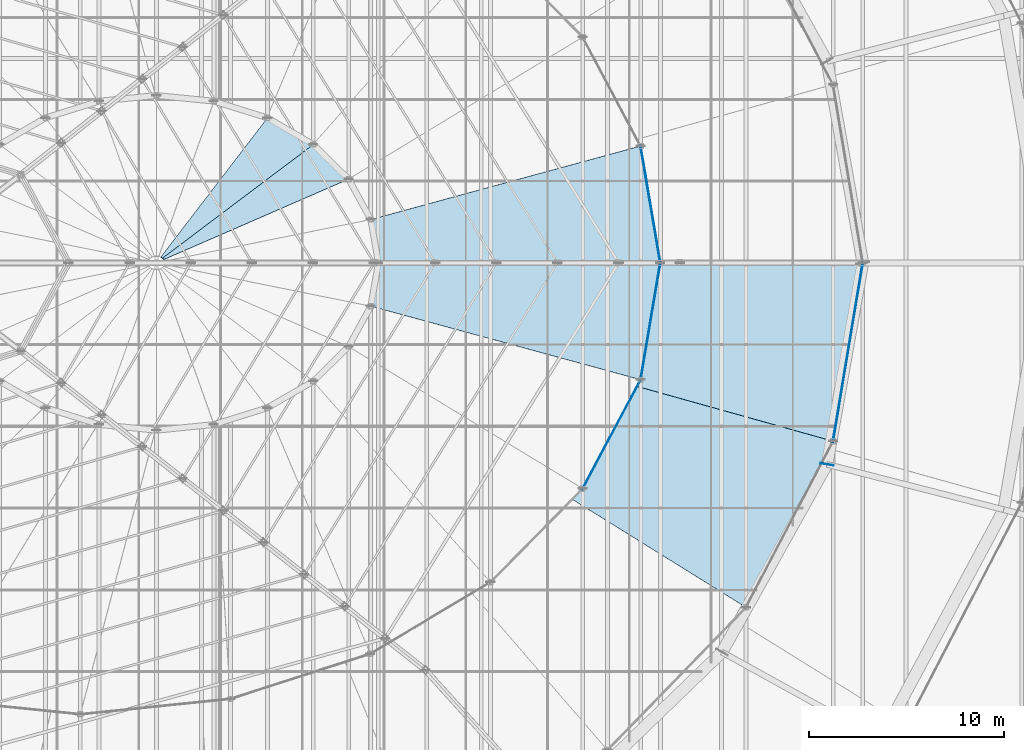
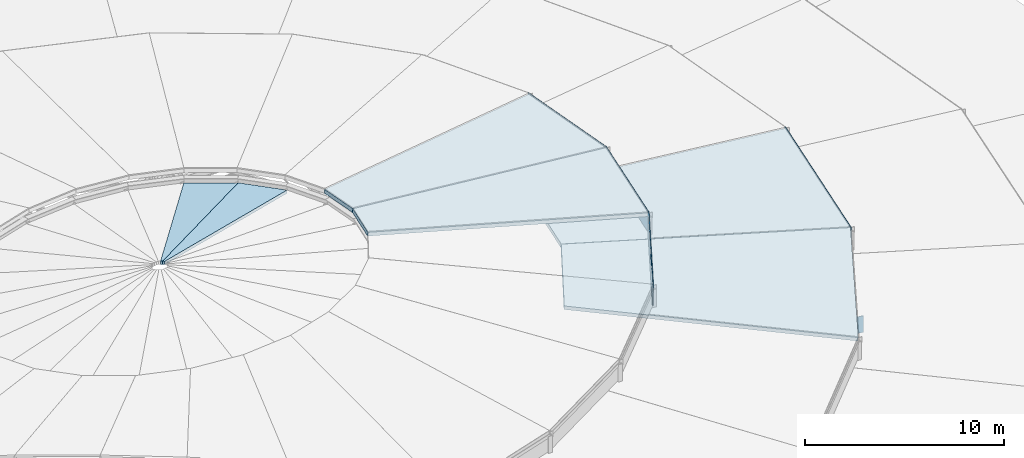
# One storey, part 145 of 184: 6 slabs, 5 plates.
"""IFC4 building model written with IfcOpenShell, lengths in metres."""

from ifc_helpers import new_model, si_unit, direction, frame, origin, origin_2d, place, context, subcontext, project, spatial, polyline, rectangle, outline, extrude, material, layer, layer_set, type_object, element, save


model = new_model("IFC4")

# Units and contexts
model_context = context("Model", 3, precision=1e-05, world=origin(), true_north=direction((0.0, 1.0)))
body_context = subcontext(model_context, "Body", "Model", "MODEL_VIEW")
ifc_project = project(units=[si_unit("LENGTHUNIT", "METRE"), si_unit("AREAUNIT", "SQUARE_METRE"), si_unit("VOLUMEUNIT", "CUBIC_METRE"), si_unit("PLANEANGLEUNIT", "RADIAN"), si_unit("MASSUNIT", "GRAM", prefix="KILO")], contexts=[model_context])

# Site, building, storey
site_placement = place(None, origin())
site = spatial("IfcSite", under=ifc_project, at=site_placement, CompositionType="ELEMENT")
building_placement = place(site_placement, origin())
building = spatial("IfcBuilding", under=site, at=building_placement, Name="Kalgoora Escarpment Arena", CompositionType="ELEMENT")
storey_placement = place(building_placement, frame((0.0, 0.0, 27.60009765625)))
storey = spatial("IfcBuildingStorey", under=building, at=storey_placement, Name="Roof Level", CompositionType="ELEMENT", Elevation=27.60009765625)

# Plates
ifc_material_1 = material(Name="Low-E double-glazed petal clerestory glass", Category="glass")
ifc_layer_1 = layer(ifc_material_1, 0.035888671875)
ifc_layer_set_1 = layer_set([ifc_layer_1], Name="PLT-PETAL-CLERESTORY")
plate_type_1 = type_object("IfcPlateType", Name="PLT-PETAL-CLERESTORY", PredefinedType="USERDEFINED", material=ifc_layer_set_1)
plate_1_placement = place(storey_placement, frame((145.63671875, 59.4189453125, 2.7099609375), z_axis=(0.0, 0.0, 1.0), x_axis=(0.164359008451, 0.986400586142, 0.0)))
element("IfcPlate", 1, at=plate_1_placement, inside=storey, type_object=plate_type_1, Name="Petal RP3 glazed clerestory collar panel S24", ObjectType="CLERESTORY PANEL", PredefinedType="USERDEFINED", context=body_context, shape_type="SweptSolid", body=[
    extrude(rectangle(XDim=9.427734375, YDim=0.0400390625, at=origin_2d()), origin(), (0.0, 0.0, 1.0), 1.25),
])
plate_2_placement = place(storey_placement, frame((135.4921875, 67.002197265625, 5.159912109375), z_axis=(0.0, 0.0, 1.0), x_axis=(-0.166768746716, 0.985996037071, 0.0)))
element("IfcPlate", 2, at=plate_2_placement, inside=storey, type_object=plate_type_1, Name="Petal RP4 glazed clerestory collar panel S01", ObjectType="CLERESTORY PANEL", PredefinedType="USERDEFINED", context=body_context, shape_type="SweptSolid", body=[
    extrude(rectangle(XDim=6.18115234375, YDim=0.0400390625, at=origin_2d()), origin(), (0.0, 0.0, 1.0), 1.25),
])
plate_3_placement = place(storey_placement, frame((133.49609375, 55.19775390625, 5.159912109375), z_axis=(0.0, 0.0, 1.0), x_axis=(0.469625659061, 0.882865641166, 0.0)))
element("IfcPlate", 3, at=plate_3_placement, inside=storey, type_object=plate_type_1, Name="Petal RP4 glazed clerestory collar panel S23", ObjectType="CLERESTORY PANEL", PredefinedType="USERDEFINED", context=body_context, shape_type="SweptSolid", body=[
    extrude(rectangle(XDim=6.43310546875, YDim=0.0400390625, at=origin_2d()), origin(), (0.0, 0.0, 1.0), 1.25),
])
plate_4_placement = place(storey_placement, frame((135.4921875, 60.997802734375, 5.159912109375), z_axis=(0.0, 0.0, 1.0), x_axis=(0.166768746716, 0.985996037071, 0.0)))
element("IfcPlate", 4, at=plate_4_placement, inside=storey, type_object=plate_type_1, Name="Petal RP4 glazed clerestory collar panel S24", ObjectType="CLERESTORY PANEL", PredefinedType="USERDEFINED", context=body_context, shape_type="SweptSolid", body=[
    extrude(rectangle(XDim=6.18115234375, YDim=0.0400390625, at=origin_2d()), origin(), (0.0, 0.0, 1.0), 1.25),
])
ifc_material_2 = material(Name="Structural steel Grade 350 (350 MPa)", Category="steel")
ifc_layer_2 = layer(ifc_material_2, 0.031982421875)
ifc_layer_set_2 = layer_set([ifc_layer_2], Name="PLT-RING-DIAPH")
plate_type_2 = type_object("IfcPlateType", Name="PLT-RING-DIAPH", PredefinedType="USERDEFINED", material=ifc_layer_set_2)
plate_5_placement = place(storey_placement, frame((144.56005859375, 53.647216796875, -1.760009765625), z_axis=(0.0, 0.0, 1.0), x_axis=(0.175023058975, 0.984564334529, 0.0)))
element("IfcPlate", 5, at=plate_5_placement, inside=storey, type_object=plate_type_2, Name="Inner ring node diaphragm plate 24", ObjectType="FLANGE PLATE", PredefinedType="USERDEFINED", context=body_context, shape_type="SweptSolid", body=[
    extrude(rectangle(XDim=0.031982421875, YDim=0.679931640625, at=origin_2d()), origin(), (0.0, 0.0, 1.0), 1.02001953125),
])

# Slabs
ifc_material_3 = material(Name="White acoustic composite Concrete N40 (fc' 40 MPa)", Category="concrete")
ifc_layer_3 = layer(ifc_material_3, 0.179931640625)
ifc_layer_set_3 = layer_set([ifc_layer_3], Name="SLB-CROWN-180")
slab_type_1 = type_object("IfcSlabType", Name="SLB-CROWN-180", PredefinedType="ROOF", material=ifc_layer_set_3)
slab_1_placement = place(storey_placement, frame((119.982666015625, 68.300048828125, 6.75), z_axis=(0.104804010453, 0.106618400658, 0.98876116228), x_axis=(-0.713135276234, 0.701026445851, -2.914284e-06)))
element("IfcSlab", 6, at=slab_1_placement, inside=storey, type_object=slab_type_1, Name="Art Deco pitched crown dome sector 03", PredefinedType="ROOF", context=body_context, shape_type="SweptSolid", body=[
    extrude(outline(polyline([(0.0, 0.0), (2.540567579935031, 2.220446049250313e-16), (3.972703553638039, 9.69687279273979), (3.8708594390705278, 9.698454291031826), (0.0, 0.0)])), origin(), (0.0, 0.0, -1.0), 0.179931640625),
])
slab_2_placement = place(storey_placement, frame((118.1708984375, 70.0810546875, 6.75), z_axis=(0.080304434203, 0.138748023873, 0.987066453547), x_axis=(-0.865443829201, 0.501005966311, -1.4802181e-05)))
element("IfcSlab", 7, at=slab_2_placement, inside=storey, type_object=slab_type_1, Name="Art Deco pitched crown dome sector 04", PredefinedType="ROOF", context=body_context, shape_type="SweptSolid", body=[
    extrude(outline(polyline([(0.0, 0.0), (2.72789873725106, 2.220446049250313e-16), (3.886691660644081, 9.043415237808743), (3.7782131665255587, 9.044676257157743), (0.0, 0.0)])), origin(), (0.0, 0.0, -1.0), 0.179931640625),
])
ifc_material_4 = material(Name="White acoustic composite Concrete N40 (fc' 40 MPa)", Category="concrete")
ifc_layer_4 = layer(ifc_material_4, 0.215087890625)
ifc_layer_set_4 = layer_set([ifc_layer_4], Name="SLB-PETAL-RP3")
slab_type_2 = type_object("IfcSlabType", Name="SLB-PETAL-RP3", PredefinedType="ROOF", material=ifc_layer_set_4)
slab_3_placement = place(storey_placement, frame((140.39794921875, 46.300048828125, 3.89990234375), z_axis=(0.095635622459, -0.050118150774, 0.994153910961), x_axis=(0.464281126183, 0.885687888426, -1.2850492e-05)))
element("IfcSlab", 8, at=slab_3_placement, inside=storey, type_object=slab_type_2, Name="Shifted white roof petal RP3 sector 23", PredefinedType="ROOF", context=body_context, shape_type="SweptSolid", body=[
    extrude(outline(polyline([(0.0, 0.0), (9.639793152183671, 0.0), (6.510384919901317, 14.752470961309868), (1.0842444579267223, 14.818512150637911), (0.0, 0.0)])), origin(), (0.0, 0.0, -1.0), 0.215087890625),
])
slab_4_placement = place(storey_placement, frame((144.87353515625, 54.837890625, 3.89990234375), z_axis=(0.10525541563, -0.017535534597, 0.994290602644), x_axis=(0.164330835409, 0.986405280062, 4.36023e-07)))
element("IfcSlab", 9, at=slab_4_placement, inside=storey, type_object=slab_type_2, Name="Shifted white roof petal RP3 sector 24", PredefinedType="ROOF", context=body_context, shape_type="SweptSolid", body=[
    extrude(outline(polyline([(0.0, 0.0), (9.288382259065513, -2.220446049250313e-16), (6.808656325951017, 14.970172649078394), (1.6093393918674028, 14.995399540265415), (0.0, 0.0)])), origin(), (0.0, 0.0, -1.0), 0.215087890625),
])
ifc_material_5 = material(Name="White acoustic composite Concrete N40 (fc' 40 MPa)", Category="concrete")
ifc_layer_5 = layer(ifc_material_5, 0.22509765625)
ifc_layer_set_5 = layer_set([ifc_layer_5], Name="SLB-PETAL-RP4")
slab_type_3 = type_object("IfcSlabType", Name="SLB-PETAL-RP4", PredefinedType="ROOF", material=ifc_layer_set_5)
slab_5_placement = place(storey_placement, frame((136.0, 64.0, 6.349853515625), z_axis=(0.094865633895, 0.016055055346, 0.995360611388), x_axis=(-0.166733635458, 0.986001974965, -1.3084966e-05)))
element("IfcSlab", 10, at=slab_5_placement, inside=storey, type_object=slab_type_3, Name="Shifted white roof petal RP4 sector 01", PredefinedType="ROOF", context=body_context, shape_type="SweptSolid", body=[
    extrude(outline(polyline([(0.0, 0.0), (6.0898837314806515, 0.0), (4.656552733662117, 14.565646224657685), (2.449289014457227, 14.551830538252426), (0.0, 0.0)])), origin(), (0.0, 0.0, -1.0), 0.22509765625),
])
slab_6_placement = place(storey_placement, frame((134.984619140625, 57.995361328125, 6.349853515625), z_axis=(0.09477943499, -0.016010618202, 0.995369538819), x_axis=(0.166730843744, 0.986002446996, -1.6221553e-05)))
element("IfcSlab", 11, at=slab_6_placement, inside=storey, type_object=slab_type_3, Name="Shifted white roof petal RP4 sector 24", PredefinedType="ROOF", context=body_context, shape_type="SweptSolid", body=[
    extrude(outline(polyline([(0.0, 0.0), (6.089883731198152, -3.3306690738754696e-16), (3.6405947171923057, 14.551689667076468), (1.4333309973200252, 14.565528830886265), (0.0, 0.0)])), origin(), (0.0, 0.0, -1.0), 0.22509765625),
])

save(model, "model.ifc")
